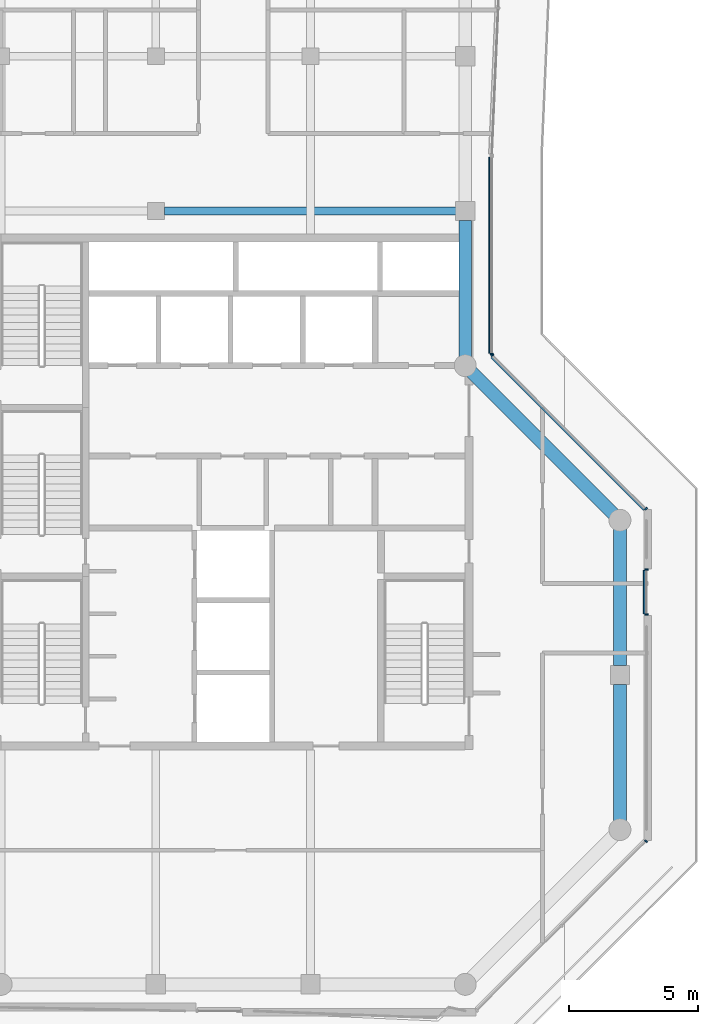
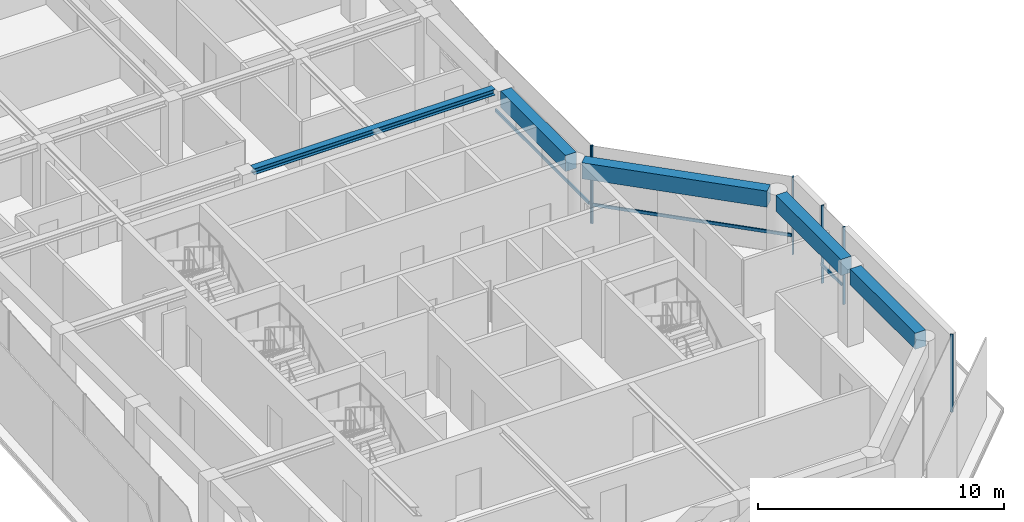
# One storey, part 5 of 19: 9 members, 5 beams, 4 elements without a shape of their own.
"""IFC4 building model written with IfcOpenShell, lengths in metres."""

from ifc_helpers import new_model, si_unit, direction, frame, origin, origin_2d, place, context, subcontext, project, spatial, rectangle, i_section, extrude, material, layer, layer_set, material_profile, profile_set, type_object, element, aggregate, save


model = new_model("IFC4")

# Units and contexts
model_context = context("Model", 3, precision=1e-05, world=origin(), true_north=direction((0.0, 1.0)))
body_context = subcontext(model_context, "Body", "Model", "MODEL_VIEW")
ifc_project = project(units=[si_unit("LENGTHUNIT", "METRE"), si_unit("AREAUNIT", "SQUARE_METRE"), si_unit("VOLUMEUNIT", "CUBIC_METRE"), si_unit("PLANEANGLEUNIT", "RADIAN"), si_unit("MASSUNIT", "GRAM", prefix="KILO")], contexts=[model_context])

# Site, building, storey
site_placement = place(None, origin())
site = spatial("IfcSite", under=ifc_project, at=site_placement, CompositionType="ELEMENT")
building_placement = place(site_placement, origin())
building = spatial("IfcBuilding", under=site, at=building_placement, Name="Welwitschia Terrace Campus", CompositionType="ELEMENT")
storey_placement = place(building_placement, frame((0.0, 0.0, 276.800048828125)))
storey = spatial("IfcBuildingStorey", under=building, at=storey_placement, Name="L61", CompositionType="ELEMENT", Elevation=276.800048828125)

# Beam
ifc_material_1 = material(Name="Steel S355", Category="steel")
ifc_material_profile_1 = material_profile(ifc_material_1, i_section(OverallWidth=0.300048828125, OverallDepth=0.300048828125, WebThickness=0.010986328125, FlangeThickness=0.01904296875, FilletRadius=0.027099609375, at=origin_2d()))
ifc_profile_set_1 = profile_set([ifc_material_profile_1], Name="Steel S355")
beam_type_1 = type_object("IfcBeamType", Name="Interior girder HE 300 B", PredefinedType="BEAM", material=ifc_profile_set_1)
beam_1_placement = place(storey_placement, frame((12.325439453125, 26.0, 3.699951171875), z_axis=(1.0, 0.0, 0.0), x_axis=(0.0, 1.0, 0.0)))
element("IfcBeam", 1, at=beam_1_placement, inside=storey, type_object=beam_type_1, Name="Girder GB6", PredefinedType="BEAM", context=body_context, shape_type="SweptSolid", body=[
    extrude(i_section(OverallWidth=0.300048828125, OverallDepth=0.300048828125, WebThickness=0.010986328125, FlangeThickness=0.01904296875, FilletRadius=0.027099609375, at=origin_2d()), origin(), (0.0, 0.0, 1.0), 11.30908203125),
])

# Curtain wall, member
ifc_material_2 = material(Name="Bronze anodised aluminium", Category="aluminium")
ifc_layer = layer(ifc_material_2, 0.1201171875)
ifc_layer_set = layer_set([ifc_layer], Name="Bronze anodised aluminium")
curtain_wall_type = type_object("IfcCurtainWallType", Name="Curtain wall CW2 tower 6000", PredefinedType="NOTDEFINED", material=ifc_layer_set)
curtain_wall_1_placement = place(storey_placement, origin())
curtain_wall_1 = element("IfcCurtainWall", 2, at=curtain_wall_1_placement, inside=storey, type_object=curtain_wall_type, Name="CW L61.3.0", PredefinedType="NOTDEFINED")
ifc_material_3 = material(Name="Bronze anodised aluminium", Category="aluminium")
ifc_material_profile_2 = material_profile(ifc_material_3, rectangle(XDim=0.1201171875, YDim=0.06005859375, at=origin_2d()))
ifc_profile_set_2 = profile_set([ifc_material_profile_2], Name="Bronze anodised aluminium")
member_type_1 = type_object("IfcMemberType", Name="Mullion 60x120", PredefinedType="MULLION", material=ifc_profile_set_2)
member_1_placement = place(storey_placement, frame((31.0087890625, 1.55224609375, 0.0), z_axis=(0.0, 0.0, 1.0), x_axis=(-0.707106781187, 0.707106781187, 0.0)))
member_1 = element("IfcMember", 3, at=member_1_placement, type_object=member_type_1, Name="Mullion L61.3.0.2", PredefinedType="MULLION", context=body_context, shape_type="SweptSolid", body=[
    extrude(rectangle(XDim=0.1201171875, YDim=0.06005859375, at=origin_2d()), origin(), (0.0, 0.0, 1.0), 3.849853515625),
])
aggregate(curtain_wall_1, [member_1])

# Curtain wall, members
curtain_wall_2_placement = place(storey_placement, origin())
curtain_wall_2 = element("IfcCurtainWall", 4, at=curtain_wall_2_placement, inside=storey, type_object=curtain_wall_type, Name="CW L61.4.S0", PredefinedType="NOTDEFINED")
member_2_placement = place(storey_placement, frame((31.030029296875, 10.34326171875, 0.0), z_axis=(0.0, 0.0, 1.0), x_axis=(-1.0, 0.0, 0.0)))
member_2 = element("IfcMember", 5, at=member_2_placement, type_object=member_type_1, Name="Mullion L61.4.S0.0", PredefinedType="MULLION", context=body_context, shape_type="SweptSolid", body=[
    extrude(rectangle(XDim=0.1201171875, YDim=0.06005859375, at=origin_2d()), origin(), (0.0, 0.0, 1.0), 3.849853515625),
])
member_3_placement = place(storey_placement, frame((31.030029296875, 12.083251953125, 0.0), z_axis=(0.0, 0.0, 1.0), x_axis=(-1.0, 0.0, 0.0)))
member_3 = element("IfcMember", 6, at=member_3_placement, type_object=member_type_1, Name="Mullion L61.4.S0.1", PredefinedType="MULLION", context=body_context, shape_type="SweptSolid", body=[
    extrude(rectangle(XDim=0.1201171875, YDim=0.06005859375, at=origin_2d()), origin(), (0.0, 0.0, 1.0), 3.849853515625),
])

curtain_wall_3_placement = place(storey_placement, origin())
curtain_wall_3 = element("IfcCurtainWall", 7, at=curtain_wall_3_placement, inside=storey, type_object=curtain_wall_type, Name="CW L61.5.0", PredefinedType="NOTDEFINED")
member_4_placement = place(storey_placement, frame((31.0087890625, 14.44775390625, 0.0), z_axis=(0.0, 0.0, 1.0), x_axis=(-0.707106781187, -0.707106781187, 0.0)))
member_4 = element("IfcMember", 8, at=member_4_placement, type_object=member_type_1, Name="Mullion L61.5.0.0", PredefinedType="MULLION", context=body_context, shape_type="SweptSolid", body=[
    extrude(rectangle(XDim=0.1201171875, YDim=0.06005859375, at=origin_2d()), origin(), (0.0, 0.0, 1.0), 3.849853515625),
])
member_5_placement = place(storey_placement, frame((25.05126953125, 20.405517578125, 0.0), z_axis=(0.0, 0.0, 1.0), x_axis=(-0.707106781187, -0.707106781187, 0.0)))
member_5 = element("IfcMember", 9, at=member_5_placement, type_object=member_type_1, Name="Mullion L61.5.0.1", PredefinedType="MULLION", context=body_context, shape_type="SweptSolid", body=[
    extrude(rectangle(XDim=0.1201171875, YDim=0.06005859375, at=origin_2d()), origin(), (0.0, 0.0, 1.0), 3.849853515625),
])

# Curtain wall, member
curtain_wall_4_placement = place(storey_placement, origin())
curtain_wall_4 = element("IfcCurtainWall", 10, at=curtain_wall_4_placement, inside=storey, type_object=curtain_wall_type, Name="CW L61.6.0", PredefinedType="NOTDEFINED")
member_6_placement = place(storey_placement, frame((25.030029296875, 20.45654296875, 0.0), z_axis=(0.0, 0.0, 1.0), x_axis=(-1.0, 0.0, 0.0)))
member_6 = element("IfcMember", 11, at=member_6_placement, type_object=member_type_1, Name="Mullion L61.6.0.0", PredefinedType="MULLION", context=body_context, shape_type="SweptSolid", body=[
    extrude(rectangle(XDim=0.1201171875, YDim=0.06005859375, at=origin_2d()), origin(), (0.0, 0.0, 1.0), 3.849853515625),
])

# Beams
ifc_material_4 = material(Name="Concrete C50/60", Category="concrete")
ifc_material_profile_3 = material_profile(ifc_material_4, rectangle(XDim=0.5, YDim=0.800048828125, at=origin_2d()))
ifc_profile_set_3 = profile_set([ifc_material_profile_3], Name="Concrete C50/60")
beam_type_2 = type_object("IfcBeamType", Name="Ring spandrel 500x800", PredefinedType="SPANDREL", material=ifc_profile_set_3)
for number, where, z_axis, x_axis, name in (
    (12, (30.0, 2.344482421875, 3.449951171875), (0.0, 1.0, 0.0), (-1.0, 0.0, 0.0), "Spandrel SP4"),
    (13, (30.0, 8.37548828125, 3.449951171875), (0.0, 1.0, 0.0), (-1.0, 0.0, 0.0), "Spandrel SP4"),
):
    element("IfcBeam", number, at=place(storey_placement, frame(where, z_axis=z_axis, x_axis=x_axis)), inside=storey, type_object=beam_type_2, Name=name, PredefinedType="SPANDREL", context=body_context, shape_type="SweptSolid", body=[
        extrude(rectangle(XDim=0.5, YDim=0.800048828125, at=origin_2d()), origin(), (0.0, 0.0, 1.0), 5.280029296875),
    ])
beam_2_placement = place(storey_placement, frame((29.75634765625, 14.24365234375, 3.449951171875), z_axis=(-0.707106781187, 0.707106781187, 0.0), x_axis=(-0.707106781187, -0.707106781187, 0.0)))
element("IfcBeam", 14, at=beam_2_placement, inside=storey, type_object=beam_type_2, Name="Spandrel SP4", PredefinedType="SPANDREL", context=body_context, shape_type="SweptSolid", body=[
    extrude(rectangle(XDim=0.5, YDim=0.800048828125, at=origin_2d()), origin(), (0.0, 0.0, 1.0), 7.796142578125),
])
beam_3_placement = place(storey_placement, frame((24.0, 20.344482421875, 3.449951171875), z_axis=(0.0, 1.0, 0.0), x_axis=(-1.0, 0.0, 0.0)))
element("IfcBeam", 15, at=beam_3_placement, inside=storey, type_object=beam_type_2, Name="Spandrel SP4", PredefinedType="SPANDREL", context=body_context, shape_type="SweptSolid", body=[
    extrude(rectangle(XDim=0.5, YDim=0.800048828125, at=origin_2d()), origin(), (0.0, 0.0, 1.0), 5.280029296875),
])

# Member
ifc_material_5 = material(Name="Bronze anodised aluminium", Category="aluminium")
ifc_material_profile_4 = material_profile(ifc_material_5, rectangle(XDim=0.06005859375, YDim=0.14990234375, at=origin_2d()))
ifc_profile_set_4 = profile_set([ifc_material_profile_4], Name="Bronze anodised aluminium")
member_type_2 = type_object("IfcMemberType", Name="Transom 60x150", PredefinedType="USERDEFINED", material=ifc_profile_set_4)
member_7_placement = place(storey_placement, frame((30.93994140625, 10.373291015625, 1.0), z_axis=(0.0, 1.0, 0.0), x_axis=(-1.0, 0.0, 0.0)))
member_7 = element("IfcMember", 16, at=member_7_placement, type_object=member_type_2, Name="Transom L61.4.S0", ObjectType="TRANSOM", PredefinedType="USERDEFINED", context=body_context, shape_type="SweptSolid", body=[
    extrude(rectangle(XDim=0.06005859375, YDim=0.14990234375, at=origin_2d()), origin(), (0.0, 0.0, 1.0), 1.679931640625),
])

aggregate(curtain_wall_2, [member_2, member_3, member_7])

member_8_placement = place(storey_placement, frame((30.923828125, 14.405517578125, 1.0), z_axis=(-0.707106781187, 0.707106781187, 0.0), x_axis=(-0.707106781187, -0.707106781187, 0.0)))
member_8 = element("IfcMember", 17, at=member_8_placement, type_object=member_type_2, Name="Transom L61.5.0", ObjectType="TRANSOM", PredefinedType="USERDEFINED", context=body_context, shape_type="SweptSolid", body=[
    extrude(rectangle(XDim=0.06005859375, YDim=0.14990234375, at=origin_2d()), origin(), (0.0, 0.0, 1.0), 8.365234375),
])

aggregate(curtain_wall_3, [member_4, member_5, member_8])

member_9_placement = place(storey_placement, frame((24.93994140625, 20.486572265625, 1.0), z_axis=(0.0, 1.0, 0.0), x_axis=(-1.0, 0.0, 0.0)))
member_9 = element("IfcMember", 18, at=member_9_placement, type_object=member_type_2, Name="Transom L61.6.0", ObjectType="TRANSOM", PredefinedType="USERDEFINED", context=body_context, shape_type="SweptSolid", body=[
    extrude(rectangle(XDim=0.06005859375, YDim=0.14990234375, at=origin_2d()), origin(), (0.0, 0.0, 1.0), 7.600341796875),
])

aggregate(curtain_wall_4, [member_6, member_9])

save(model, "model.ifc")
